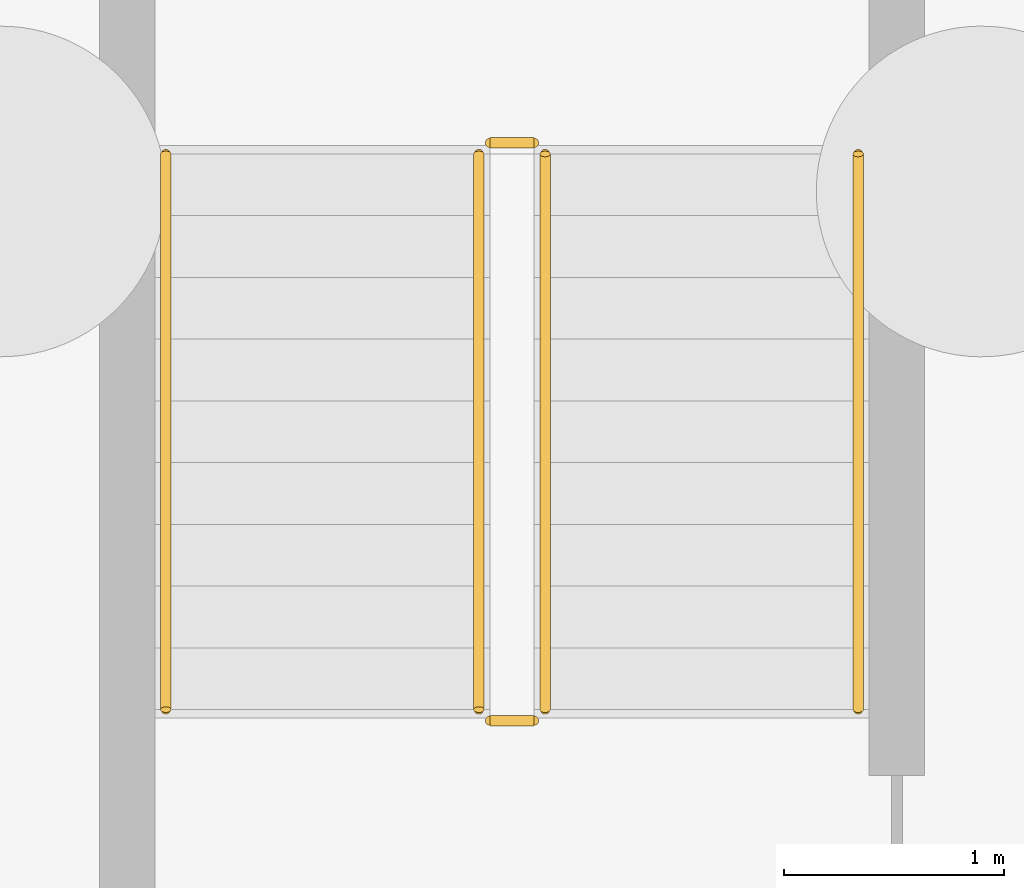
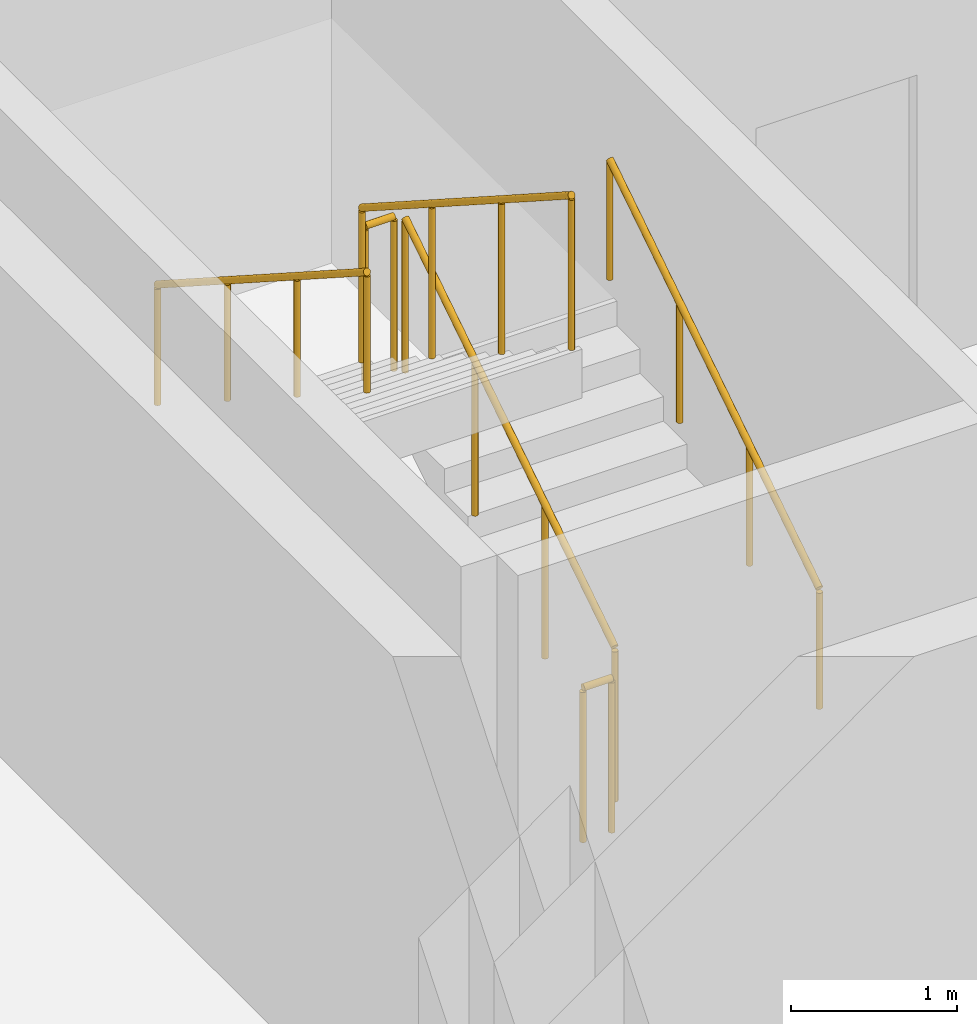
# One storey, part 20 of 26: 6 railings.
"""IFC4 building model written with IfcOpenShell, lengths in metres."""

from ifc_helpers import new_model, si_unit, direction, frame, origin, origin_2d, place, context, subcontext, project, spatial, circle, extrude, material, type_object, element, save


model = new_model("IFC4")

# Units and contexts
model_context = context("Model", 3, precision=1e-05, world=origin(), true_north=direction((0.0, 1.0)))
body_context = subcontext(model_context, "Body", "Model", "MODEL_VIEW")
ifc_project = project(units=[si_unit("LENGTHUNIT", "METRE"), si_unit("AREAUNIT", "SQUARE_METRE"), si_unit("VOLUMEUNIT", "CUBIC_METRE"), si_unit("PLANEANGLEUNIT", "RADIAN"), si_unit("MASSUNIT", "GRAM", prefix="KILO")], contexts=[model_context])

# Site, building, storey
site_placement = place(None, origin())
site = spatial("IfcSite", under=ifc_project, at=site_placement, CompositionType="ELEMENT")
building_placement = place(site_placement, origin())
building = spatial("IfcBuilding", under=site, at=building_placement, Name="Korimba Cascade Residences", CompositionType="ELEMENT")
storey_placement = place(building_placement, frame((0.0, 0.0, -10.800048828125)))
storey = spatial("IfcBuildingStorey", under=building, at=storey_placement, Name="B03", CompositionType="ELEMENT", Elevation=-10.800048828125)

# Railings
ifc_material_1 = material(Name="Painted Steel Stairwell Guardrail", Category="steel")
railing_type_1 = type_object("IfcRailingType", Name="RLG-ST-GD1150", PredefinedType="GUARDRAIL", material=ifc_material_1)
railing_1_placement = place(storey_placement, frame((84.77001953125, 22.050048828125, 0.179931640625)))
element("IfcRailing", 1, at=railing_1_placement, inside=storey, type_object=railing_type_1, Name="B03 ST-E1 stair guard 1", PredefinedType="GUARDRAIL", context=body_context, shape_type="SweptSolid", body=[
    extrude(circle(Radius=0.02392578125, at=origin_2d()), frame((0.0, 0.0, 1.1259765625), z_axis=(0.0, 0.841162588446, 0.540782303519), x_axis=(-1.0, 0.0, 0.0)), (0.0, 0.0, 1.0), 2.995849609375),
    extrude(circle(Radius=0.02099609375, at=origin_2d()), origin(), (0.0, 0.0, 1.0), 1.101806640625),
    extrude(circle(Radius=0.02099609375, at=origin_2d()), frame((0.0, 0.840087890625, 0.5400390625)), (0.0, 0.0, 1.0), 1.101806640625),
    extrude(circle(Radius=0.02099609375, at=origin_2d()), frame((0.0, 1.679931640625, 1.080078125)), (0.0, 0.0, 1.0), 1.101806640625),
    extrude(circle(Radius=0.02099609375, at=origin_2d()), frame((0.0, 2.52001953125, 1.6201171875)), (0.0, 0.0, 1.0), 1.101806640625),
])
railing_2_placement = place(storey_placement, frame((84.719970703125, 24.6201171875, 1.800048828125)))
element("IfcRailing", 2, at=railing_2_placement, inside=storey, type_object=railing_type_1, Name="B03 ST-E1 stair guard 2", PredefinedType="GUARDRAIL", context=body_context, shape_type="SweptSolid", body=[
    extrude(circle(Radius=0.02392578125, at=origin_2d()), frame((0.0, 0.0, 1.1259765625), z_axis=(-1.0, 0.0, 0.0), x_axis=(0.0, -1.0, 0.0)), (0.0, 0.0, 1.0), 0.199951171875),
    extrude(circle(Radius=0.02099609375, at=origin_2d()), origin(), (0.0, 0.0, 1.0), 1.101806640625),
    extrude(circle(Radius=0.02099609375, at=origin_2d()), frame((-0.199951171875, 0.0, 0.0)), (0.0, 0.0, 1.0), 1.101806640625),
])
railing_3_placement = place(storey_placement, frame((84.469970703125, 24.570068359375, 1.97998046875)))
element("IfcRailing", 3, at=railing_3_placement, inside=storey, type_object=railing_type_1, Name="B03 ST-E1 stair guard 3", PredefinedType="GUARDRAIL", context=body_context, shape_type="SweptSolid", body=[
    extrude(circle(Radius=0.02392578125, at=origin_2d()), frame((0.0, 0.0, 1.1259765625), z_axis=(0.0, -0.841162588446, 0.540782303519), x_axis=(1.0, 0.0, 0.0)), (0.0, 0.0, 1.0), 2.995849609375),
    extrude(circle(Radius=0.02099609375, at=origin_2d()), origin(), (0.0, 0.0, 1.0), 1.101806640625),
    extrude(circle(Radius=0.02099609375, at=origin_2d()), frame((0.0, -0.840087890625, 0.5400390625)), (0.0, 0.0, 1.0), 1.101806640625),
    extrude(circle(Radius=0.02099609375, at=origin_2d()), frame((0.0, -1.679931640625, 1.080078125)), (0.0, 0.0, 1.0), 1.101806640625),
    extrude(circle(Radius=0.02099609375, at=origin_2d()), frame((0.0, -2.52001953125, 1.6201171875)), (0.0, 0.0, 1.0), 1.101806640625),
])
railing_4_placement = place(storey_placement, frame((84.719970703125, 22.0, 0.0)))
element("IfcRailing", 4, at=railing_4_placement, inside=storey, type_object=railing_type_1, Name="B03 ST-E1 stair guard 4", PredefinedType="GUARDRAIL", context=body_context, shape_type="SweptSolid", body=[
    extrude(circle(Radius=0.02392578125, at=origin_2d()), frame((0.0, 0.0, 1.1259765625), z_axis=(-1.0, 0.0, 0.0), x_axis=(0.0, -1.0, 0.0)), (0.0, 0.0, 1.0), 0.199951171875),
    extrude(circle(Radius=0.02099609375, at=origin_2d()), origin(), (0.0, 0.0, 1.0), 1.101806640625),
    extrude(circle(Radius=0.02099609375, at=origin_2d()), frame((-0.199951171875, 0.0, 0.0)), (0.0, 0.0, 1.0), 1.101806640625),
])
ifc_material_2 = material(Name="Brushed Stainless Steel Handrail", Category="steel")
railing_type_2 = type_object("IfcRailingType", Name="RLG-ST-HR900", PredefinedType="HANDRAIL", material=ifc_material_2)
railing_5_placement = place(storey_placement, frame((86.18994140625, 22.050048828125, 0.36376953125)))
element("IfcRailing", 5, at=railing_5_placement, inside=storey, type_object=railing_type_2, Name="B03 ST-E1 stair handrail 1", PredefinedType="HANDRAIL", context=body_context, shape_type="SweptSolid", body=[
    extrude(circle(Radius=0.02392578125, at=origin_2d()), frame((0.0, 0.0, 0.8759765625), z_axis=(0.0, 0.841162588446, 0.540782303519), x_axis=(-1.0, 0.0, 0.0)), (0.0, 0.0, 1.0), 2.995849609375),
    extrude(circle(Radius=0.02099609375, at=origin_2d()), origin(), (0.0, 0.0, 1.0), 0.851806640625),
    extrude(circle(Radius=0.02099609375, at=origin_2d()), frame((0.0, 0.840087890625, 0.5400390625)), (0.0, 0.0, 1.0), 0.851806640625),
    extrude(circle(Radius=0.02099609375, at=origin_2d()), frame((0.0, 1.679931640625, 1.080078125)), (0.0, 0.0, 1.0), 0.851806640625),
    extrude(circle(Radius=0.02099609375, at=origin_2d()), frame((0.0, 2.52001953125, 1.6201171875)), (0.0, 0.0, 1.0), 0.851806640625),
])
railing_6_placement = place(storey_placement, frame((83.050048828125, 24.570068359375, 2.163818359375)))
element("IfcRailing", 6, at=railing_6_placement, inside=storey, type_object=railing_type_2, Name="B03 ST-E1 stair handrail 2", PredefinedType="HANDRAIL", context=body_context, shape_type="SweptSolid", body=[
    extrude(circle(Radius=0.02392578125, at=origin_2d()), frame((0.0, 0.0, 0.8759765625), z_axis=(0.0, -0.841162588446, 0.540782303519), x_axis=(1.0, 0.0, 0.0)), (0.0, 0.0, 1.0), 2.995849609375),
    extrude(circle(Radius=0.02099609375, at=origin_2d()), origin(), (0.0, 0.0, 1.0), 0.851806640625),
    extrude(circle(Radius=0.02099609375, at=origin_2d()), frame((0.0, -0.840087890625, 0.5400390625)), (0.0, 0.0, 1.0), 0.851806640625),
    extrude(circle(Radius=0.02099609375, at=origin_2d()), frame((0.0, -1.679931640625, 1.080078125)), (0.0, 0.0, 1.0), 0.851806640625),
    extrude(circle(Radius=0.02099609375, at=origin_2d()), frame((0.0, -2.52001953125, 1.6201171875)), (0.0, 0.0, 1.0), 0.851806640625),
])

save(model, "model.ifc")
